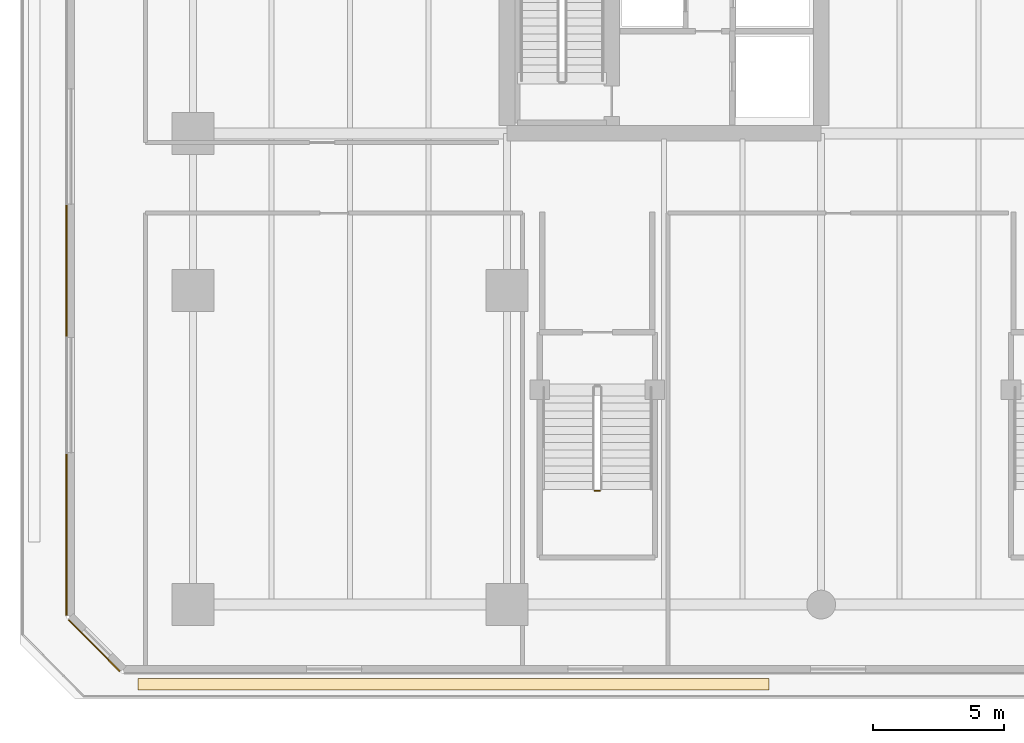
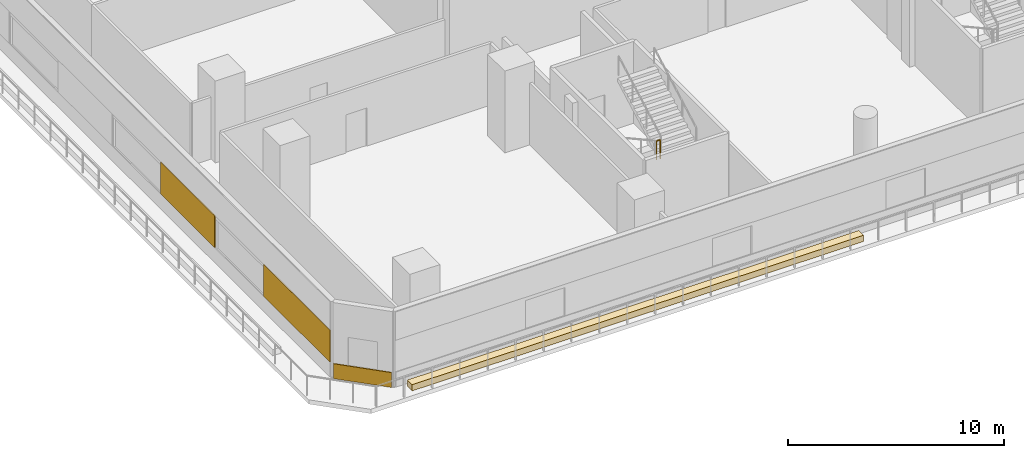
# One storey, part 11 of 27: 4 coverings, 1 railing.
"""IFC4 building model written with IfcOpenShell, lengths in metres."""

from ifc_helpers import new_model, si_unit, direction, frame, origin, origin_2d, place, context, subcontext, project, spatial, polyline, rectangle, outline, extrude, material, layer, layer_set, type_object, element, save


model = new_model("IFC4")

# Units and contexts
model_context = context("Model", 3, precision=1e-05, world=origin(), true_north=direction((0.0, 1.0)))
body_context = subcontext(model_context, "Body", "Model", "MODEL_VIEW")
ifc_project = project(units=[si_unit("LENGTHUNIT", "METRE"), si_unit("AREAUNIT", "SQUARE_METRE"), si_unit("VOLUMEUNIT", "CUBIC_METRE"), si_unit("PLANEANGLEUNIT", "RADIAN"), si_unit("MASSUNIT", "GRAM", prefix="KILO")], contexts=[model_context])

# Site, building, storey
site_placement = place(None, origin())
site = spatial("IfcSite", under=ifc_project, at=site_placement, CompositionType="ELEMENT")
building_placement = place(site_placement, origin())
building = spatial("IfcBuilding", under=site, at=building_placement, Name="Tanjung Sevakor Pilgrim Tower", CompositionType="ELEMENT")
storey_placement = place(building_placement, frame((0.0, 0.0, 19.469970703125)))
storey = spatial("IfcBuildingStorey", under=building, at=storey_placement, Name="L05", CompositionType="ELEMENT", Elevation=19.469970703125)

# Coverings
ifc_material_1 = material(Name="Reconstructed Limestone Cladding", Category="masonry")
ifc_layer_1 = layer(ifc_material_1, 0.044921875)
ifc_layer_set_1 = layer_set([ifc_layer_1], Name="COV-CLAD-LIMESTONE")
covering_type_1 = type_object("IfcCoveringType", Name="COV-CLAD-LIMESTONE", PredefinedType="CLADDING", material=ifc_layer_set_1)
covering_1_placement = place(storey_placement, frame((7.177490234375, 19.35009765625, 0.85009765625), z_axis=(0.0, 0.0, 1.0), x_axis=(0.0, -1.0, 0.0)))
element("IfcCovering", 1, at=covering_1_placement, inside=storey, type_object=covering_type_1, Name="L05 Warm Limestone Pier Panel EW-L05-MAIN-7-5", PredefinedType="CLADDING", context=body_context, shape_type="SweptSolid", body=[
    extrude(rectangle(XDim=5.0, YDim=0.044921875, at=origin_2d()), origin(), (0.0, 0.0, 1.0), 1.81005859375),
])
covering_2_placement = place(storey_placement, frame((7.177490234375, 9.27392578125, 0.85009765625), z_axis=(0.0, 0.0, 1.0), x_axis=(0.0, -1.0, 0.0)))
element("IfcCovering", 2, at=covering_2_placement, inside=storey, type_object=covering_type_1, Name="L05 Warm Limestone Pier Panel EW-L05-MAIN-7-6", PredefinedType="CLADDING", context=body_context, shape_type="SweptSolid", body=[
    extrude(rectangle(XDim=6.152099609375, YDim=0.044921875, at=origin_2d()), origin(), (0.0, 0.0, 1.0), 1.81005859375),
])
covering_3_placement = place(storey_placement, frame((8.234130859375, 5.0341796875, 0.009765625), z_axis=(0.0, 0.0, 1.0), x_axis=(0.707106781187, -0.707106781187, 0.0)))
element("IfcCovering", 3, at=covering_3_placement, inside=storey, type_object=covering_type_1, Name="L05 Warm Limestone Sill Spandrel EW-L05-MAIN-8-1", PredefinedType="CLADDING", context=body_context, shape_type="SweptSolid", body=[
    extrude(rectangle(XDim=2.77392578125, YDim=0.044921875, at=origin_2d()), origin(), (0.0, 0.0, 1.0), 0.840087890625),
])
ifc_material_2 = material(Name="Vegetated Modular Planter Assembly", Category="organic")
ifc_layer_2 = layer(ifc_material_2, 0.35009765625)
ifc_layer_set_2 = layer_set([ifc_layer_2], Name="COV-GRN-TROUGH")
covering_type_2 = type_object("IfcCoveringType", Name="COV-GRN-TROUGH", PredefinedType="CLADDING", material=ifc_layer_set_2)
covering_4_placement = place(storey_placement, origin())
element("IfcCovering", 4, at=covering_4_placement, inside=storey, type_object=covering_type_2, Name="L05 Planted Landscape Hedge Trough PGRN-L05-SW", PredefinedType="CLADDING", context=body_context, shape_type="SweptSolid", body=[
    extrude(outline(polyline([(9.89990234375, 3.330078125), (34.0, 3.330078125), (34.0, 3.77001953125), (9.89990234375, 3.77001953125), (9.89990234375, 3.330078125)])), origin(), (0.0, 0.0, 1.0), 0.35009765625),
])

# Railing
ifc_material_3 = material(Name="Steel S355J2", Category="steel")
railing_type = type_object("IfcRailingType", Name="RL-STAIR-GUARD", PredefinedType="GUARDRAIL", material=ifc_material_3)
railing_placement = place(storey_placement, frame((27.35009765625, 10.949951171875, 2.31005859375)))
element("IfcRailing", 5, at=railing_placement, inside=storey, type_object=railing_type, Name="L05 PS-1 stair guard 2", PredefinedType="GUARDRAIL", context=body_context, shape_type="SweptSolid", body=[
    extrude(rectangle(XDim=0.0479, YDim=0.0479), frame((0.0, 0.0, 1.076171875), z_axis=(1.0, 0.0, 0.0), x_axis=(0.0, 1.0, 0.0)), (0.0, 0.0, 1.0), 0.199951171875),
    extrude(rectangle(XDim=0.042, YDim=0.042), origin(), (0.0, 0.0, 1.0), 1.052001953125),
    extrude(rectangle(XDim=0.042, YDim=0.042), frame((0.199951171875, 0.0, 0.0)), (0.0, 0.0, 1.0), 1.052001953125),
])

save(model, "model.ifc")
